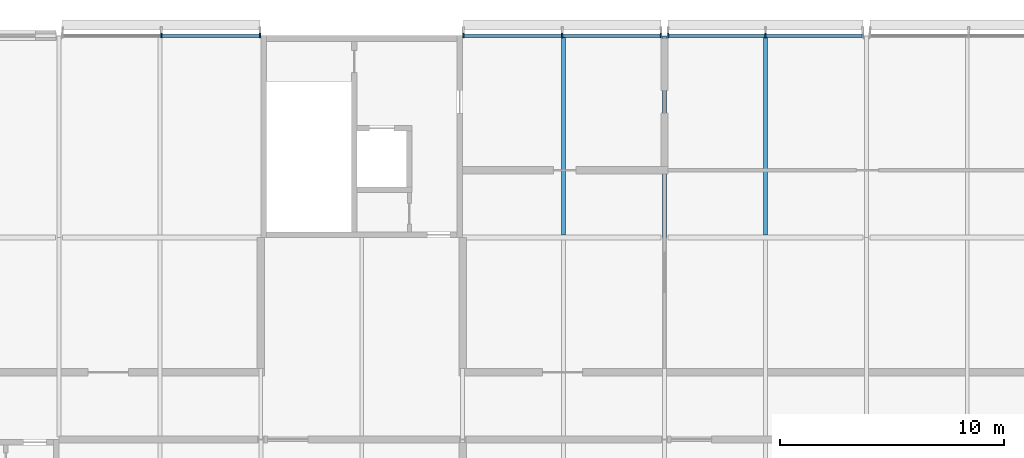
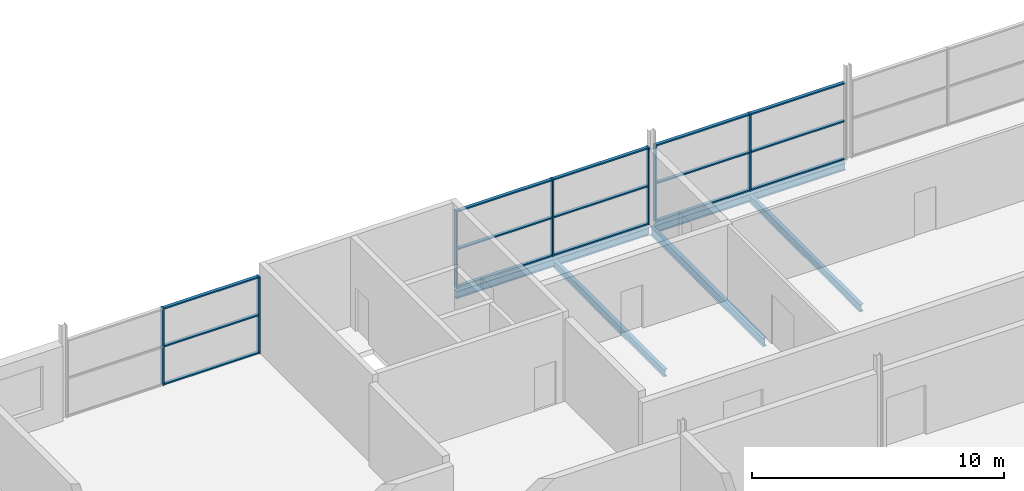
# One storey, part 87 of 138: 22 members, 5 beams, 3 elements without a shape of their own.
"""IFC4 building model written with IfcOpenShell, lengths in metres."""

from ifc_helpers import new_model, si_unit, direction, frame, origin, origin_2d, place, context, subcontext, project, spatial, rectangle, i_section, extrude, material, layer, layer_set, material_profile, profile_set, type_object, element, aggregate, save


model = new_model("IFC4")

# Units and contexts
model_context = context("Model", 3, precision=1e-05, world=origin(), true_north=direction((0.0, 1.0)))
body_context = subcontext(model_context, "Body", "Model", "MODEL_VIEW")
ifc_project = project(units=[si_unit("LENGTHUNIT", "METRE"), si_unit("AREAUNIT", "SQUARE_METRE"), si_unit("VOLUMEUNIT", "CUBIC_METRE"), si_unit("PLANEANGLEUNIT", "RADIAN"), si_unit("MASSUNIT", "GRAM", prefix="KILO")], contexts=[model_context])

# Site, building, storey
site_placement = place(None, origin())
site = spatial("IfcSite", under=ifc_project, at=site_placement, CompositionType="ELEMENT")
building_placement = place(site_placement, origin())
building = spatial("IfcBuilding", under=site, at=building_placement, Name="Corbel Yard City Hall", CompositionType="ELEMENT")
storey_placement = place(building_placement, frame((0.0, 0.0, 10.5)))
storey = spatial("IfcBuildingStorey", under=building, at=storey_placement, Name="L02", CompositionType="ELEMENT", Elevation=10.5)

# Beams
ifc_material_1 = material(Name="Steel Grade 300 (300 MPa yield)", Category="steel")
ifc_material_profile_1 = material_profile(ifc_material_1, i_section(OverallWidth=0.177978515625, OverallDepth=0.403076171875, WebThickness=0.007568359375, FlangeThickness=0.010986328125, at=origin_2d()), Name="410UB53.7")
ifc_profile_set_1 = profile_set([ifc_material_profile_1], Name="Steel Grade 300 (300 MPa yield)")
beam_type_1 = type_object("IfcBeamType", Name="Beam 410UB53.7", PredefinedType="BEAM", material=ifc_profile_set_1)
beam_1_placement = place(storey_placement, frame((153.0, 108.005859375, -0.3515625), z_axis=(0.0, 1.0, 0.0), x_axis=(-1.0, 0.0, 0.0)))
element("IfcBeam", 1, at=beam_1_placement, inside=storey, type_object=beam_type_1, Name="Beam 410UB53.7 SB6 L02floor", PredefinedType="BEAM", context=body_context, shape_type="SweptSolid", body=[
    extrude(i_section(OverallWidth=0.177978515625, OverallDepth=0.403076171875, WebThickness=0.007568359375, FlangeThickness=0.010986328125, at=origin_2d()), origin(), (0.0, 0.0, 1.0), 8.98876953125),
])
ifc_material_profile_2 = material_profile(ifc_material_1, i_section(OverallWidth=0.172119140625, OverallDepth=0.35888671875, WebThickness=0.008056640625, FlangeThickness=0.012939453125, at=origin_2d()), Name="360UB56.7")
ifc_profile_set_2 = profile_set([ifc_material_profile_2], Name="Steel Grade 300 (300 MPa yield)")
beam_type_2 = type_object("IfcBeamType", Name="Edge beam 360UB56.7", PredefinedType="BEAM", material=ifc_profile_set_2)
beam_2_placement = place(storey_placement, frame((144.0, 117.0, -0.32958984375), z_axis=(1.0, 0.0, 0.0), x_axis=(0.0, 1.0, 0.0)))
element("IfcBeam", 2, at=beam_2_placement, inside=storey, type_object=beam_type_2, Name="Edge beam 360UB56.7 EB4 L02floor", PredefinedType="BEAM", context=body_context, shape_type="SweptSolid", body=[
    extrude(i_section(OverallWidth=0.172119140625, OverallDepth=0.35888671875, WebThickness=0.008056640625, FlangeThickness=0.012939453125, at=origin_2d()), origin(), (0.0, 0.0, 1.0), 8.8701171875),
])
beam_3_placement = place(storey_placement, frame((153.1298828125, 117.0, -0.32958984375), z_axis=(1.0, 0.0, 0.0), x_axis=(0.0, 1.0, 0.0)))
element("IfcBeam", 3, at=beam_3_placement, inside=storey, type_object=beam_type_2, Name="Edge beam 360UB56.7 EB4 L02floor", PredefinedType="BEAM", context=body_context, shape_type="SweptSolid", body=[
    extrude(i_section(OverallWidth=0.172119140625, OverallDepth=0.35888671875, WebThickness=0.008056640625, FlangeThickness=0.012939453125, at=origin_2d()), origin(), (0.0, 0.0, 1.0), 8.740234375),
])

# Curtain wall, members
ifc_material_2 = material(Name="Aluminium extrusion", Category="aluminium")
ifc_layer = layer(ifc_material_2, 0.199951171875)
ifc_layer_set = layer_set([ifc_layer], Name="Aluminium extrusion")
curtain_wall_type = type_object("IfcCurtainWallType", Name="CW1", PredefinedType="USERDEFINED", material=ifc_layer_set)
curtain_wall_1_placement = place(storey_placement, origin())
curtain_wall_1 = element("IfcCurtainWall", 4, at=curtain_wall_1_placement, inside=storey, type_object=curtain_wall_type, Name="Curtain wall CW1 L02", ObjectType="CURTAIN WALL", PredefinedType="USERDEFINED")
ifc_material_profile_3 = material_profile(ifc_material_2, rectangle(XDim=0.199951171875, YDim=0.06494140625, at=origin_2d()), Name="200x65")
ifc_profile_set_3 = profile_set([ifc_material_profile_3], Name="Aluminium extrusion")
member_type_1 = type_object("IfcMemberType", Name="ML1", PredefinedType="MULLION", material=ifc_profile_set_3)
member_1_placement = place(storey_placement, frame((130.5634765625, 117.0, 0.0), z_axis=(0.0, 0.0, 1.0), x_axis=(0.0, 1.0, 0.0)))
member_1 = element("IfcMember", 5, at=member_1_placement, type_object=member_type_1, Name="CW1 mullion 2", PredefinedType="MULLION", context=body_context, shape_type="SweptSolid", body=[
    extrude(rectangle(XDim=0.199951171875, YDim=0.06494140625, at=origin_2d()), origin(), (0.0, 0.0, 1.0), 3.738037109375),
])
member_2_placement = place(storey_placement, frame((134.967529296875, 117.0, 0.0), z_axis=(0.0, 0.0, 1.0), x_axis=(0.0, 1.0, 0.0)))
member_2 = element("IfcMember", 6, at=member_2_placement, type_object=member_type_1, Name="CW1 mullion 3", PredefinedType="MULLION", context=body_context, shape_type="SweptSolid", body=[
    extrude(rectangle(XDim=0.199951171875, YDim=0.06494140625, at=origin_2d()), origin(), (0.0, 0.0, 1.0), 3.738037109375),
])

curtain_wall_2_placement = place(storey_placement, origin())
curtain_wall_2 = element("IfcCurtainWall", 7, at=curtain_wall_2_placement, inside=storey, type_object=curtain_wall_type, Name="Curtain wall CW1 L02", ObjectType="CURTAIN WALL", PredefinedType="USERDEFINED")
member_3_placement = place(storey_placement, frame((144.032470703125, 117.0, 0.0), z_axis=(0.0, 0.0, 1.0), x_axis=(0.0, 1.0, 0.0)))
member_3 = element("IfcMember", 8, at=member_3_placement, type_object=member_type_1, Name="CW1 mullion 1", PredefinedType="MULLION", context=body_context, shape_type="SweptSolid", body=[
    extrude(rectangle(XDim=0.199951171875, YDim=0.06494140625, at=origin_2d()), origin(), (0.0, 0.0, 1.0), 3.738037109375),
])
member_4_placement = place(storey_placement, frame((148.4365234375, 117.0, 0.0), z_axis=(0.0, 0.0, 1.0), x_axis=(0.0, 1.0, 0.0)))
member_4 = element("IfcMember", 9, at=member_4_placement, type_object=member_type_1, Name="CW1 mullion 2", PredefinedType="MULLION", context=body_context, shape_type="SweptSolid", body=[
    extrude(rectangle(XDim=0.199951171875, YDim=0.06494140625, at=origin_2d()), origin(), (0.0, 0.0, 1.0), 3.738037109375),
])
member_5_placement = place(storey_placement, frame((152.840576171875, 117.0, 0.0), z_axis=(0.0, 0.0, 1.0), x_axis=(0.0, 1.0, 0.0)))
member_5 = element("IfcMember", 10, at=member_5_placement, type_object=member_type_1, Name="CW1 mullion 3", PredefinedType="MULLION", context=body_context, shape_type="SweptSolid", body=[
    extrude(rectangle(XDim=0.199951171875, YDim=0.06494140625, at=origin_2d()), origin(), (0.0, 0.0, 1.0), 3.738037109375),
])

curtain_wall_3_placement = place(storey_placement, origin())
curtain_wall_3 = element("IfcCurtainWall", 11, at=curtain_wall_3_placement, inside=storey, type_object=curtain_wall_type, Name="Curtain wall CW1 L02", ObjectType="CURTAIN WALL", PredefinedType="USERDEFINED")
member_6_placement = place(storey_placement, frame((153.159423828125, 117.0, 0.0), z_axis=(0.0, 0.0, 1.0), x_axis=(0.0, 1.0, 0.0)))
member_6 = element("IfcMember", 12, at=member_6_placement, type_object=member_type_1, Name="CW1 mullion 1", PredefinedType="MULLION", context=body_context, shape_type="SweptSolid", body=[
    extrude(rectangle(XDim=0.199951171875, YDim=0.06494140625, at=origin_2d()), origin(), (0.0, 0.0, 1.0), 3.738037109375),
])
member_7_placement = place(storey_placement, frame((157.5, 117.0, 0.0), z_axis=(0.0, 0.0, 1.0), x_axis=(0.0, 1.0, 0.0)))
member_7 = element("IfcMember", 13, at=member_7_placement, type_object=member_type_1, Name="CW1 mullion 2", PredefinedType="MULLION", context=body_context, shape_type="SweptSolid", body=[
    extrude(rectangle(XDim=0.199951171875, YDim=0.06494140625, at=origin_2d()), origin(), (0.0, 0.0, 1.0), 3.738037109375),
])

# Beams
ifc_material_profile_4 = material_profile(ifc_material_1, i_section(OverallWidth=0.1708984375, OverallDepth=0.35595703125, WebThickness=0.00732421875, FlangeThickness=0.011474609375, at=origin_2d()), Name="360UB50.7")
ifc_profile_set_4 = profile_set([ifc_material_profile_4], Name="Steel Grade 300 (300 MPa yield)")
beam_type_3 = type_object("IfcBeamType", Name="Secondary beam 360UB50.7", PredefinedType="JOIST", material=ifc_profile_set_4)
for number, where, z_axis, x_axis, name in (
    (14, (148.5, 108.1044921875, -0.327880859375), (0.0, 1.0, 0.0), (-1.0, 0.0, 0.0), "Secondary beam 360UB50.7 SB10 L02floor"),
    (15, (157.5, 108.1044921875, -0.327880859375), (0.0, 1.0, 0.0), (-1.0, 0.0, 0.0), "Secondary beam 360UB50.7 SB10 L02floor"),
):
    element("IfcBeam", number, at=place(storey_placement, frame(where, z_axis=z_axis, x_axis=x_axis)), inside=storey, type_object=beam_type_3, Name=name, PredefinedType="JOIST", context=body_context, shape_type="SweptSolid", body=[
        extrude(i_section(OverallWidth=0.1708984375, OverallDepth=0.35595703125, WebThickness=0.00732421875, FlangeThickness=0.011474609375, at=origin_2d()), origin(), (0.0, 0.0, 1.0), 8.8095703125),
    ])

# Member
ifc_material_profile_5 = material_profile(ifc_material_2, rectangle(XDim=0.14990234375, YDim=0.06494140625, at=origin_2d()), Name="150x65")
ifc_profile_set_5 = profile_set([ifc_material_profile_5], Name="Aluminium extrusion")
member_type_2 = type_object("IfcMemberType", Name="TR1", PredefinedType="USERDEFINED", material=ifc_profile_set_5)
member_8_placement = place(storey_placement, frame((130.595947265625, 117.0, 0.032470703125), z_axis=(1.0, 0.0, 0.0), x_axis=(0.0, 1.0, 0.0)))
member_8 = element("IfcMember", 16, at=member_8_placement, type_object=member_type_2, Name="CW1 transom 2.1", ObjectType="TRANSOM", PredefinedType="USERDEFINED", context=body_context, shape_type="SweptSolid", body=[
    extrude(rectangle(XDim=0.14990234375, YDim=0.06494140625, at=origin_2d()), origin(), (0.0, 0.0, 1.0), 4.339111328125),
])

member_9_placement = place(storey_placement, frame((130.595947265625, 117.0, 1.868896484375), z_axis=(1.0, 0.0, 0.0), x_axis=(0.0, 1.0, 0.0)))
member_9 = element("IfcMember", 17, at=member_9_placement, type_object=member_type_2, Name="CW1 transom 2.2", ObjectType="TRANSOM", PredefinedType="USERDEFINED", context=body_context, shape_type="SweptSolid", body=[
    extrude(rectangle(XDim=0.14990234375, YDim=0.06494140625, at=origin_2d()), origin(), (0.0, 0.0, 1.0), 4.339111328125),
])

member_10_placement = place(storey_placement, frame((130.595947265625, 117.0, 3.70556640625), z_axis=(1.0, 0.0, 0.0), x_axis=(0.0, 1.0, 0.0)))
member_10 = element("IfcMember", 18, at=member_10_placement, type_object=member_type_2, Name="CW1 transom 2.3", ObjectType="TRANSOM", PredefinedType="USERDEFINED", context=body_context, shape_type="SweptSolid", body=[
    extrude(rectangle(XDim=0.14990234375, YDim=0.06494140625, at=origin_2d()), origin(), (0.0, 0.0, 1.0), 4.339111328125),
])

aggregate(curtain_wall_1, [member_1, member_2, member_8, member_9, member_10])

member_11_placement = place(storey_placement, frame((144.06494140625, 117.0, 0.032470703125), z_axis=(1.0, 0.0, 0.0), x_axis=(0.0, 1.0, 0.0)))
member_11 = element("IfcMember", 19, at=member_11_placement, type_object=member_type_2, Name="CW1 transom 1.1", ObjectType="TRANSOM", PredefinedType="USERDEFINED", context=body_context, shape_type="SweptSolid", body=[
    extrude(rectangle(XDim=0.14990234375, YDim=0.06494140625, at=origin_2d()), origin(), (0.0, 0.0, 1.0), 4.339111328125),
])

member_12_placement = place(storey_placement, frame((144.06494140625, 117.0, 1.868896484375), z_axis=(1.0, 0.0, 0.0), x_axis=(0.0, 1.0, 0.0)))
member_12 = element("IfcMember", 20, at=member_12_placement, type_object=member_type_2, Name="CW1 transom 1.2", ObjectType="TRANSOM", PredefinedType="USERDEFINED", context=body_context, shape_type="SweptSolid", body=[
    extrude(rectangle(XDim=0.14990234375, YDim=0.06494140625, at=origin_2d()), origin(), (0.0, 0.0, 1.0), 4.339111328125),
])

member_13_placement = place(storey_placement, frame((144.06494140625, 117.0, 3.70556640625), z_axis=(1.0, 0.0, 0.0), x_axis=(0.0, 1.0, 0.0)))
member_13 = element("IfcMember", 21, at=member_13_placement, type_object=member_type_2, Name="CW1 transom 1.3", ObjectType="TRANSOM", PredefinedType="USERDEFINED", context=body_context, shape_type="SweptSolid", body=[
    extrude(rectangle(XDim=0.14990234375, YDim=0.06494140625, at=origin_2d()), origin(), (0.0, 0.0, 1.0), 4.339111328125),
])

member_14_placement = place(storey_placement, frame((148.468994140625, 117.0, 0.032470703125), z_axis=(1.0, 0.0, 0.0), x_axis=(0.0, 1.0, 0.0)))
member_14 = element("IfcMember", 22, at=member_14_placement, type_object=member_type_2, Name="CW1 transom 2.1", ObjectType="TRANSOM", PredefinedType="USERDEFINED", context=body_context, shape_type="SweptSolid", body=[
    extrude(rectangle(XDim=0.14990234375, YDim=0.06494140625, at=origin_2d()), origin(), (0.0, 0.0, 1.0), 4.339111328125),
])

member_15_placement = place(storey_placement, frame((148.468994140625, 117.0, 1.868896484375), z_axis=(1.0, 0.0, 0.0), x_axis=(0.0, 1.0, 0.0)))
member_15 = element("IfcMember", 23, at=member_15_placement, type_object=member_type_2, Name="CW1 transom 2.2", ObjectType="TRANSOM", PredefinedType="USERDEFINED", context=body_context, shape_type="SweptSolid", body=[
    extrude(rectangle(XDim=0.14990234375, YDim=0.06494140625, at=origin_2d()), origin(), (0.0, 0.0, 1.0), 4.339111328125),
])

member_16_placement = place(storey_placement, frame((148.468994140625, 117.0, 3.70556640625), z_axis=(1.0, 0.0, 0.0), x_axis=(0.0, 1.0, 0.0)))
member_16 = element("IfcMember", 24, at=member_16_placement, type_object=member_type_2, Name="CW1 transom 2.3", ObjectType="TRANSOM", PredefinedType="USERDEFINED", context=body_context, shape_type="SweptSolid", body=[
    extrude(rectangle(XDim=0.14990234375, YDim=0.06494140625, at=origin_2d()), origin(), (0.0, 0.0, 1.0), 4.339111328125),
])

aggregate(curtain_wall_2, [member_3, member_4, member_5, member_11, member_12, member_13, member_14, member_15, member_16])

member_17_placement = place(storey_placement, frame((153.19189453125, 117.0, 0.032470703125), z_axis=(1.0, 0.0, 0.0), x_axis=(0.0, 1.0, 0.0)))
member_17 = element("IfcMember", 25, at=member_17_placement, type_object=member_type_2, Name="CW1 transom 1.1", ObjectType="TRANSOM", PredefinedType="USERDEFINED", context=body_context, shape_type="SweptSolid", body=[
    extrude(rectangle(XDim=0.14990234375, YDim=0.06494140625, at=origin_2d()), origin(), (0.0, 0.0, 1.0), 4.275634765625),
])

member_18_placement = place(storey_placement, frame((153.19189453125, 117.0, 1.868896484375), z_axis=(1.0, 0.0, 0.0), x_axis=(0.0, 1.0, 0.0)))
member_18 = element("IfcMember", 26, at=member_18_placement, type_object=member_type_2, Name="CW1 transom 1.2", ObjectType="TRANSOM", PredefinedType="USERDEFINED", context=body_context, shape_type="SweptSolid", body=[
    extrude(rectangle(XDim=0.14990234375, YDim=0.06494140625, at=origin_2d()), origin(), (0.0, 0.0, 1.0), 4.275634765625),
])

member_19_placement = place(storey_placement, frame((153.19189453125, 117.0, 3.70556640625), z_axis=(1.0, 0.0, 0.0), x_axis=(0.0, 1.0, 0.0)))
member_19 = element("IfcMember", 27, at=member_19_placement, type_object=member_type_2, Name="CW1 transom 1.3", ObjectType="TRANSOM", PredefinedType="USERDEFINED", context=body_context, shape_type="SweptSolid", body=[
    extrude(rectangle(XDim=0.14990234375, YDim=0.06494140625, at=origin_2d()), origin(), (0.0, 0.0, 1.0), 4.275634765625),
])

member_20_placement = place(storey_placement, frame((157.532470703125, 117.0, 0.032470703125), z_axis=(1.0, 0.0, 0.0), x_axis=(0.0, 1.0, 0.0)))
member_20 = element("IfcMember", 28, at=member_20_placement, type_object=member_type_2, Name="CW1 transom 2.1", ObjectType="TRANSOM", PredefinedType="USERDEFINED", context=body_context, shape_type="SweptSolid", body=[
    extrude(rectangle(XDim=0.14990234375, YDim=0.06494140625, at=origin_2d()), origin(), (0.0, 0.0, 1.0), 4.275634765625),
])

member_21_placement = place(storey_placement, frame((157.532470703125, 117.0, 1.868896484375), z_axis=(1.0, 0.0, 0.0), x_axis=(0.0, 1.0, 0.0)))
member_21 = element("IfcMember", 29, at=member_21_placement, type_object=member_type_2, Name="CW1 transom 2.2", ObjectType="TRANSOM", PredefinedType="USERDEFINED", context=body_context, shape_type="SweptSolid", body=[
    extrude(rectangle(XDim=0.14990234375, YDim=0.06494140625, at=origin_2d()), origin(), (0.0, 0.0, 1.0), 4.275634765625),
])

member_22_placement = place(storey_placement, frame((157.532470703125, 117.0, 3.70556640625), z_axis=(1.0, 0.0, 0.0), x_axis=(0.0, 1.0, 0.0)))
member_22 = element("IfcMember", 30, at=member_22_placement, type_object=member_type_2, Name="CW1 transom 2.3", ObjectType="TRANSOM", PredefinedType="USERDEFINED", context=body_context, shape_type="SweptSolid", body=[
    extrude(rectangle(XDim=0.14990234375, YDim=0.06494140625, at=origin_2d()), origin(), (0.0, 0.0, 1.0), 4.275634765625),
])

aggregate(curtain_wall_3, [member_6, member_7, member_17, member_18, member_19, member_20, member_21, member_22])

save(model, "model.ifc")
